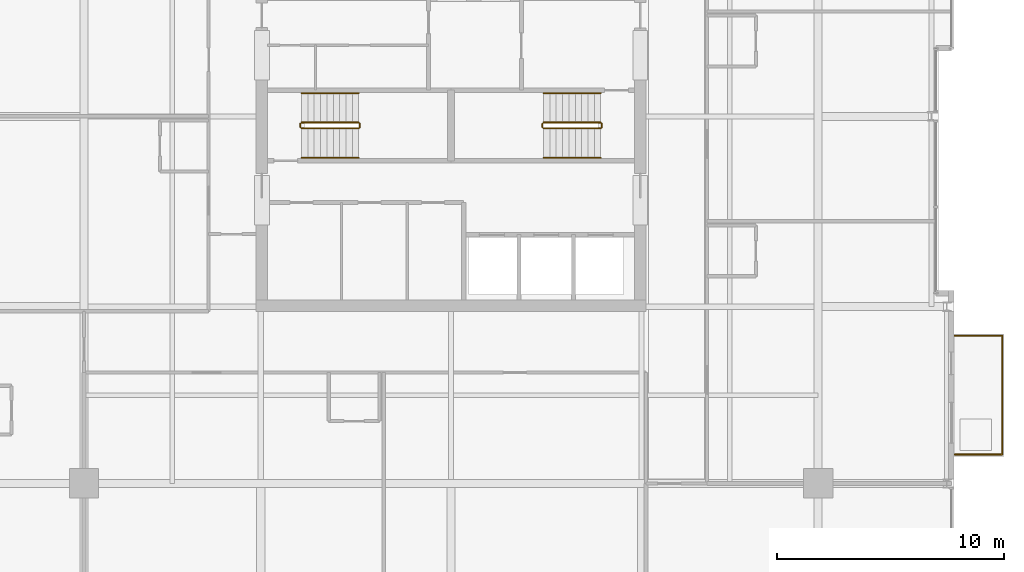
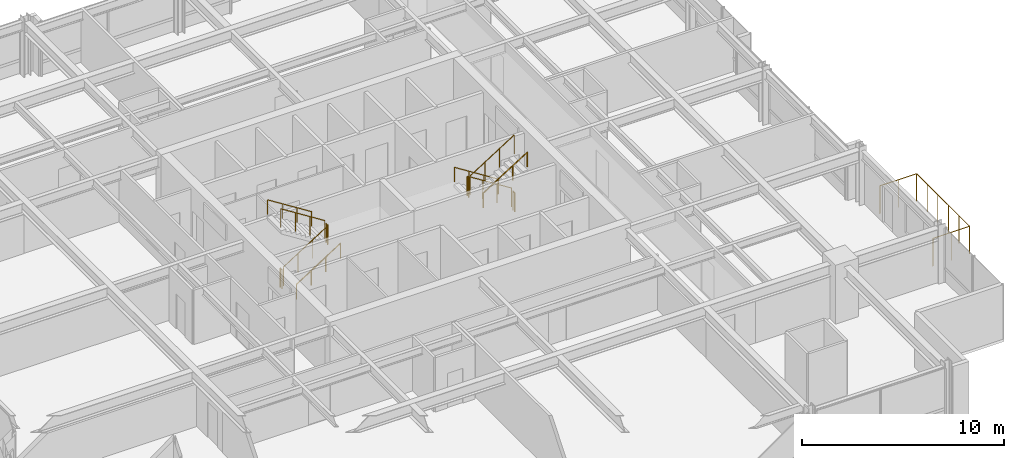
# One storey, part 31 of 32: 13 railings.
"""IFC4 building model written with IfcOpenShell, lengths in metres."""

from ifc_helpers import new_model, si_unit, direction, frame, origin, origin_2d, place, context, subcontext, project, spatial, circle, extrude, material, type_object, element, save


model = new_model("IFC4")

# Units and contexts
model_context = context("Model", 3, precision=1e-05, world=origin(), true_north=direction((0.0, 1.0)))
body_context = subcontext(model_context, "Body", "Model", "MODEL_VIEW")
ifc_project = project(units=[si_unit("LENGTHUNIT", "METRE"), si_unit("AREAUNIT", "SQUARE_METRE"), si_unit("VOLUMEUNIT", "CUBIC_METRE"), si_unit("PLANEANGLEUNIT", "RADIAN"), si_unit("MASSUNIT", "GRAM", prefix="KILO")], contexts=[model_context])

# Site, building, storey
site_placement = place(None, origin())
site = spatial("IfcSite", under=ifc_project, at=site_placement, CompositionType="ELEMENT")
building_placement = place(site_placement, origin())
building = spatial("IfcBuilding", under=site, at=building_placement, Name="Drelvath Grand Hotel", CompositionType="ELEMENT")
storey_placement = place(building_placement, frame((0.0, 0.0, 164.60009765625)))
storey = spatial("IfcBuildingStorey", under=building, at=storey_placement, Name="L42", CompositionType="ELEMENT", Elevation=164.60009765625)

# Railings
ifc_material_1 = material(Name="Painted Steel S275", Category="steel")
railing_type_1 = type_object("IfcRailingType", Name="Core Stair Wall Handrail 900", PredefinedType="HANDRAIL", material=ifc_material_1)
railing_1_placement = place(storey_placement, frame((-6.60009765625, 25.169921875, 0.177490234375)))
element("IfcRailing", 1, at=railing_1_placement, inside=storey, type_object=railing_type_1, Name="L42 ST-1 stair handrail 1", PredefinedType="HANDRAIL", context=body_context, shape_type="SweptSolid", body=[
    extrude(circle(Radius=0.02392578125, at=origin_2d()), frame((0.0, 0.0, 0.8759765625), z_axis=(0.84460694969, 0.0, 0.535386869969), x_axis=(0.0, 1.0, 0.0)), (0.0, 0.0, 1.0), 2.983642578125),
    extrude(circle(Radius=0.02099609375, at=origin_2d()), origin(), (0.0, 0.0, 1.0), 0.851806640625),
    extrude(circle(Radius=0.02099609375, at=origin_2d()), frame((0.840087890625, 0.0, 0.532470703125)), (0.0, 0.0, 1.0), 0.851806640625),
    extrude(circle(Radius=0.02099609375, at=origin_2d()), frame((1.679931640625, 0.0, 1.06494140625)), (0.0, 0.0, 1.0), 0.851806640625),
    extrude(circle(Radius=0.02099609375, at=origin_2d()), frame((2.52001953125, 0.0, 1.597412109375)), (0.0, 0.0, 1.0), 0.851806640625),
])
for number, where, name in (
    (2, (-4.080078125, 28.030029296875, 1.952392578125), "L42 ST-1 stair handrail 2"),
    (3, (6.60009765625, 28.030029296875, 0.177490234375), "L42 ST-2 stair handrail 1"),
):
    element("IfcRailing", number, at=place(storey_placement, frame(where)), inside=storey, type_object=railing_type_1, Name=name, PredefinedType="HANDRAIL", context=body_context, shape_type="SweptSolid", body=[
        extrude(circle(Radius=0.02392578125, at=origin_2d()), frame((0.0, 0.0, 0.8759765625), z_axis=(-0.84460694969, 0.0, 0.535386869969), x_axis=(0.0, -1.0, 0.0)), (0.0, 0.0, 1.0), 2.983642578125),
        extrude(circle(Radius=0.02099609375, at=origin_2d()), origin(), (0.0, 0.0, 1.0), 0.851806640625),
        extrude(circle(Radius=0.02099609375, at=origin_2d()), frame((-0.840087890625, 0.0, 0.532470703125)), (0.0, 0.0, 1.0), 0.851806640625),
        extrude(circle(Radius=0.02099609375, at=origin_2d()), frame((-1.679931640625, 0.0, 1.06494140625)), (0.0, 0.0, 1.0), 0.851806640625),
        extrude(circle(Radius=0.02099609375, at=origin_2d()), frame((-2.52001953125, 0.0, 1.597412109375)), (0.0, 0.0, 1.0), 0.851806640625),
    ])
railing_2_placement = place(storey_placement, frame((4.080078125, 25.169921875, 1.952392578125)))
element("IfcRailing", 4, at=railing_2_placement, inside=storey, type_object=railing_type_1, Name="L42 ST-2 stair handrail 2", PredefinedType="HANDRAIL", context=body_context, shape_type="SweptSolid", body=[
    extrude(circle(Radius=0.02392578125, at=origin_2d()), frame((0.0, 0.0, 0.8759765625), z_axis=(0.84460694969, 0.0, 0.535386869969), x_axis=(0.0, 1.0, 0.0)), (0.0, 0.0, 1.0), 2.983642578125),
    extrude(circle(Radius=0.02099609375, at=origin_2d()), origin(), (0.0, 0.0, 1.0), 0.851806640625),
    extrude(circle(Radius=0.02099609375, at=origin_2d()), frame((0.840087890625, 0.0, 0.532470703125)), (0.0, 0.0, 1.0), 0.851806640625),
    extrude(circle(Radius=0.02099609375, at=origin_2d()), frame((1.679931640625, 0.0, 1.06494140625)), (0.0, 0.0, 1.0), 0.851806640625),
    extrude(circle(Radius=0.02099609375, at=origin_2d()), frame((2.52001953125, 0.0, 1.597412109375)), (0.0, 0.0, 1.0), 0.851806640625),
])
railing_type_2 = type_object("IfcRailingType", Name="Core Stair Well Guardrail 1100", PredefinedType="GUARDRAIL", material=ifc_material_1)
railing_3_placement = place(storey_placement, frame((-6.60009765625, 26.469970703125, 0.177490234375)))
element("IfcRailing", 5, at=railing_3_placement, inside=storey, type_object=railing_type_2, Name="L42 ST-1 stair guard 1", PredefinedType="GUARDRAIL", context=body_context, shape_type="SweptSolid", body=[
    extrude(circle(Radius=0.02392578125, at=origin_2d()), frame((0.0, 0.0, 1.1259765625), z_axis=(0.84460694969, 0.0, 0.535386869969), x_axis=(0.0, 1.0, 0.0)), (0.0, 0.0, 1.0), 2.983642578125),
    extrude(circle(Radius=0.02099609375, at=origin_2d()), origin(), (0.0, 0.0, 1.0), 1.101806640625),
    extrude(circle(Radius=0.02099609375, at=origin_2d()), frame((0.840087890625, 0.0, 0.532470703125)), (0.0, 0.0, 1.0), 1.101806640625),
    extrude(circle(Radius=0.02099609375, at=origin_2d()), frame((1.679931640625, 0.0, 1.06494140625)), (0.0, 0.0, 1.0), 1.101806640625),
    extrude(circle(Radius=0.02099609375, at=origin_2d()), frame((2.52001953125, 0.0, 1.597412109375)), (0.0, 0.0, 1.0), 1.101806640625),
])
railing_4_placement = place(storey_placement, frame((-4.030029296875, 26.52001953125, 1.77490234375)))
element("IfcRailing", 6, at=railing_4_placement, inside=storey, type_object=railing_type_2, Name="L42 ST-1 stair guard 2", PredefinedType="GUARDRAIL", context=body_context, shape_type="SweptSolid", body=[
    extrude(circle(Radius=0.02392578125, at=origin_2d()), frame((0.0, 0.0, 1.1259765625), z_axis=(0.0, 1.0, 0.0), x_axis=(-1.0, 0.0, 0.0)), (0.0, 0.0, 1.0), 0.159912109375),
    extrude(circle(Radius=0.02099609375, at=origin_2d()), origin(), (0.0, 0.0, 1.0), 1.101806640625),
    extrude(circle(Radius=0.02099609375, at=origin_2d()), frame((0.0, 0.159912109375, 0.0)), (0.0, 0.0, 1.0), 1.101806640625),
])
railing_5_placement = place(storey_placement, frame((-4.080078125, 26.72998046875, 1.952392578125)))
element("IfcRailing", 7, at=railing_5_placement, inside=storey, type_object=railing_type_2, Name="L42 ST-1 stair guard 3", PredefinedType="GUARDRAIL", context=body_context, shape_type="SweptSolid", body=[
    extrude(circle(Radius=0.02392578125, at=origin_2d()), frame((0.0, 0.0, 1.1259765625), z_axis=(-0.84460694969, 0.0, 0.535386869969), x_axis=(0.0, -1.0, 0.0)), (0.0, 0.0, 1.0), 2.983642578125),
    extrude(circle(Radius=0.02099609375, at=origin_2d()), origin(), (0.0, 0.0, 1.0), 1.101806640625),
    extrude(circle(Radius=0.02099609375, at=origin_2d()), frame((-0.840087890625, 0.0, 0.532470703125)), (0.0, 0.0, 1.0), 1.101806640625),
    extrude(circle(Radius=0.02099609375, at=origin_2d()), frame((-1.679931640625, 0.0, 1.06494140625)), (0.0, 0.0, 1.0), 1.101806640625),
    extrude(circle(Radius=0.02099609375, at=origin_2d()), frame((-2.52001953125, 0.0, 1.597412109375)), (0.0, 0.0, 1.0), 1.101806640625),
])
railing_6_placement = place(storey_placement, frame((-6.64990234375, 26.52001953125, 0.0)))
element("IfcRailing", 8, at=railing_6_placement, inside=storey, type_object=railing_type_2, Name="L42 ST-1 stair guard 4", PredefinedType="GUARDRAIL", context=body_context, shape_type="SweptSolid", body=[
    extrude(circle(Radius=0.02392578125, at=origin_2d()), frame((0.0, 0.0, 1.1259765625), z_axis=(0.0, 1.0, 0.0), x_axis=(-1.0, 0.0, 0.0)), (0.0, 0.0, 1.0), 0.159912109375),
    extrude(circle(Radius=0.02099609375, at=origin_2d()), origin(), (0.0, 0.0, 1.0), 1.101806640625),
    extrude(circle(Radius=0.02099609375, at=origin_2d()), frame((0.0, 0.159912109375, 0.0)), (0.0, 0.0, 1.0), 1.101806640625),
])
railing_7_placement = place(storey_placement, frame((6.60009765625, 26.72998046875, 0.177490234375)))
element("IfcRailing", 9, at=railing_7_placement, inside=storey, type_object=railing_type_2, Name="L42 ST-2 stair guard 1", PredefinedType="GUARDRAIL", context=body_context, shape_type="SweptSolid", body=[
    extrude(circle(Radius=0.02392578125, at=origin_2d()), frame((0.0, 0.0, 1.1259765625), z_axis=(-0.84460694969, 0.0, 0.535386869969), x_axis=(0.0, -1.0, 0.0)), (0.0, 0.0, 1.0), 2.983642578125),
    extrude(circle(Radius=0.02099609375, at=origin_2d()), origin(), (0.0, 0.0, 1.0), 1.101806640625),
    extrude(circle(Radius=0.02099609375, at=origin_2d()), frame((-0.840087890625, 0.0, 0.532470703125)), (0.0, 0.0, 1.0), 1.101806640625),
    extrude(circle(Radius=0.02099609375, at=origin_2d()), frame((-1.679931640625, 0.0, 1.06494140625)), (0.0, 0.0, 1.0), 1.101806640625),
    extrude(circle(Radius=0.02099609375, at=origin_2d()), frame((-2.52001953125, 0.0, 1.597412109375)), (0.0, 0.0, 1.0), 1.101806640625),
])
railing_8_placement = place(storey_placement, frame((4.030029296875, 26.679931640625, 1.77490234375)))
element("IfcRailing", 10, at=railing_8_placement, inside=storey, type_object=railing_type_2, Name="L42 ST-2 stair guard 2", PredefinedType="GUARDRAIL", context=body_context, shape_type="SweptSolid", body=[
    extrude(circle(Radius=0.02392578125, at=origin_2d()), frame((0.0, 0.0, 1.1259765625), z_axis=(0.0, -1.0, 0.0), x_axis=(1.0, 0.0, 0.0)), (0.0, 0.0, 1.0), 0.159912109375),
    extrude(circle(Radius=0.02099609375, at=origin_2d()), origin(), (0.0, 0.0, 1.0), 1.101806640625),
    extrude(circle(Radius=0.02099609375, at=origin_2d()), frame((0.0, -0.159912109375, 0.0)), (0.0, 0.0, 1.0), 1.101806640625),
])
railing_9_placement = place(storey_placement, frame((4.080078125, 26.469970703125, 1.952392578125)))
element("IfcRailing", 11, at=railing_9_placement, inside=storey, type_object=railing_type_2, Name="L42 ST-2 stair guard 3", PredefinedType="GUARDRAIL", context=body_context, shape_type="SweptSolid", body=[
    extrude(circle(Radius=0.02392578125, at=origin_2d()), frame((0.0, 0.0, 1.1259765625), z_axis=(0.84460694969, 0.0, 0.535386869969), x_axis=(0.0, 1.0, 0.0)), (0.0, 0.0, 1.0), 2.983642578125),
    extrude(circle(Radius=0.02099609375, at=origin_2d()), origin(), (0.0, 0.0, 1.0), 1.101806640625),
    extrude(circle(Radius=0.02099609375, at=origin_2d()), frame((0.840087890625, 0.0, 0.532470703125)), (0.0, 0.0, 1.0), 1.101806640625),
    extrude(circle(Radius=0.02099609375, at=origin_2d()), frame((1.679931640625, 0.0, 1.06494140625)), (0.0, 0.0, 1.0), 1.101806640625),
    extrude(circle(Radius=0.02099609375, at=origin_2d()), frame((2.52001953125, 0.0, 1.597412109375)), (0.0, 0.0, 1.0), 1.101806640625),
])
railing_10_placement = place(storey_placement, frame((6.64990234375, 26.679931640625, 0.0)))
element("IfcRailing", 12, at=railing_10_placement, inside=storey, type_object=railing_type_2, Name="L42 ST-2 stair guard 4", PredefinedType="GUARDRAIL", context=body_context, shape_type="SweptSolid", body=[
    extrude(circle(Radius=0.02392578125, at=origin_2d()), frame((0.0, 0.0, 1.1259765625), z_axis=(0.0, -1.0, 0.0), x_axis=(1.0, 0.0, 0.0)), (0.0, 0.0, 1.0), 0.159912109375),
    extrude(circle(Radius=0.02099609375, at=origin_2d()), origin(), (0.0, 0.0, 1.0), 1.101806640625),
    extrude(circle(Radius=0.02099609375, at=origin_2d()), frame((0.0, -0.159912109375, 0.0)), (0.0, 0.0, 1.0), 1.101806640625),
])
ifc_material_2 = material(Name="Anodised Aluminium and Laminated Glass Balustrade", Category="aluminium")
railing_type_3 = type_object("IfcRailingType", Name="Raised Planter Edge Balustrade 1700", PredefinedType="BALUSTRADE", material=ifc_material_2)
railing_11_placement = place(storey_placement, frame((22.219970703125, 12.080078125, 0.0)))
element("IfcRailing", 13, at=railing_11_placement, inside=storey, type_object=railing_type_3, Name="L42 Tree Balcony Perimeter Balustrade 1", PredefinedType="BALUSTRADE", context=body_context, shape_type="SweptSolid", body=[
    extrude(circle(Radius=0.02392578125, at=origin_2d()), frame((0.0, 0.0, 1.67578125), z_axis=(1.0, 0.0, 0.0), x_axis=(0.0, 1.0, 0.0)), (0.0, 0.0, 1.0), 2.10009765625),
    extrude(circle(Radius=0.02392578125, at=origin_2d()), frame((2.10009765625, 0.0, 1.67578125), z_axis=(0.0, 1.0, 0.0), x_axis=(-1.0, 0.0, 0.0)), (0.0, 0.0, 1.0), 5.239990234375),
    extrude(circle(Radius=0.02392578125, at=origin_2d()), frame((2.10009765625, 5.239990234375, 1.67578125), z_axis=(-1.0, 0.0, 0.0), x_axis=(0.0, -1.0, 0.0)), (0.0, 0.0, 1.0), 2.10009765625),
    extrude(circle(Radius=0.02099609375, at=origin_2d()), origin(), (0.0, 0.0, 1.0), 1.65185546875),
    extrude(circle(Radius=0.02099609375, at=origin_2d()), frame((1.050048828125, 0.0, 0.0)), (0.0, 0.0, 1.0), 1.65185546875),
    extrude(circle(Radius=0.02099609375, at=origin_2d()), frame((2.10009765625, 0.0, 0.0)), (0.0, 0.0, 1.0), 1.65185546875),
    extrude(circle(Radius=0.02099609375, at=origin_2d()), frame((2.10009765625, 1.048095703125, 0.0)), (0.0, 0.0, 1.0), 1.65185546875),
    extrude(circle(Radius=0.02099609375, at=origin_2d()), frame((2.10009765625, 2.095947265625, 0.0)), (0.0, 0.0, 1.0), 1.65185546875),
    extrude(circle(Radius=0.02099609375, at=origin_2d()), frame((2.10009765625, 3.14404296875, 0.0)), (0.0, 0.0, 1.0), 1.65185546875),
    extrude(circle(Radius=0.02099609375, at=origin_2d()), frame((2.10009765625, 4.19189453125, 0.0)), (0.0, 0.0, 1.0), 1.65185546875),
    extrude(circle(Radius=0.02099609375, at=origin_2d()), frame((2.10009765625, 5.239990234375, 0.0)), (0.0, 0.0, 1.0), 1.65185546875),
    extrude(circle(Radius=0.02099609375, at=origin_2d()), frame((1.050048828125, 5.239990234375, 0.0)), (0.0, 0.0, 1.0), 1.65185546875),
    extrude(circle(Radius=0.02099609375, at=origin_2d()), frame((0.0, 5.239990234375, 0.0)), (0.0, 0.0, 1.0), 1.65185546875),
])

save(model, "model.ifc")
